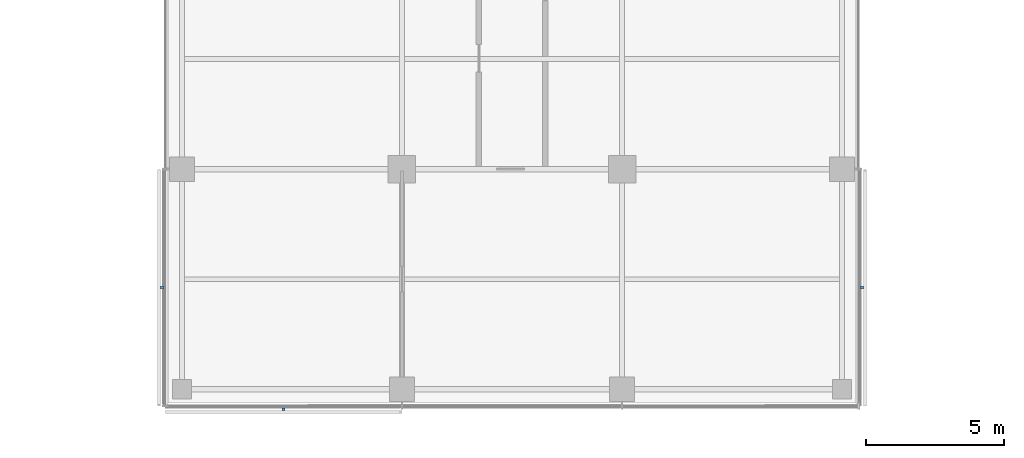
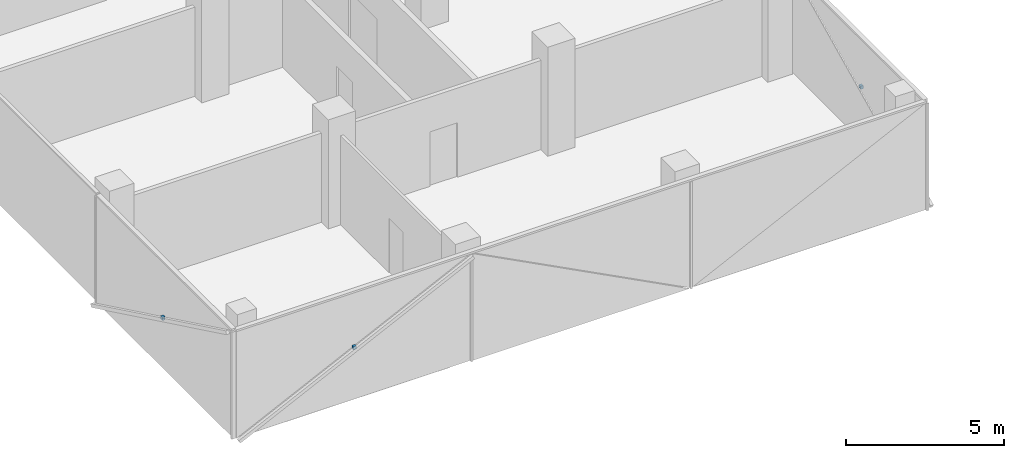
# One storey, part 18 of 22: 3 discrete accessories.
"""IFC4 building model written with IfcOpenShell, lengths in metres."""

from ifc_helpers import new_model, si_unit, direction, frame, origin, origin_2d, place, context, subcontext, project, spatial, rectangle, extrude, material, type_object, element, save


model = new_model("IFC4")

# Units and contexts
model_context = context("Model", 3, precision=1e-05, world=origin(), true_north=direction((0.0, 1.0)))
body_context = subcontext(model_context, "Body", "Model", "MODEL_VIEW")
ifc_project = project(units=[si_unit("LENGTHUNIT", "METRE"), si_unit("AREAUNIT", "SQUARE_METRE"), si_unit("VOLUMEUNIT", "CUBIC_METRE"), si_unit("PLANEANGLEUNIT", "RADIAN"), si_unit("MASSUNIT", "GRAM", prefix="KILO")], contexts=[model_context])

# Site, building, storey
site_placement = place(None, origin())
site = spatial("IfcSite", under=ifc_project, at=site_placement, CompositionType="ELEMENT")
building_placement = place(site_placement, origin())
building = spatial("IfcBuilding", under=site, at=building_placement, Name="Crosswind Convention Tower", CompositionType="ELEMENT")
storey_placement = place(building_placement, frame((0.0, 0.0, 158.89990234375)))
storey = spatial("IfcBuildingStorey", under=building, at=storey_placement, Name="L33", CompositionType="ELEMENT", Elevation=158.89990234375)

# Discrete accessories
ifc_material = material(Name="Stainless steel", Category="steel")
discrete_accessory_type = type_object("IfcDiscreteAccessoryType", Name="BAGUETTE BRACKET BK3", PredefinedType="BRACKET", material=ifc_material)
for number, where, z_axis, x_axis, name in (
    (1, (112.27392578125, 75.695068359375, 1.705078125), (0.0, 0.0, 1.0), (0.0, -1.0, 0.0), "BK3 baguette bracket"),
    (2, (116.695068359375, 71.27392578125, 1.705078125), (0.0, 0.0, 1.0), (1.0, 0.0, 0.0), "BK3 baguette bracket"),
    (3, (137.72607421875, 75.695068359375, 1.705078125), (0.0, 0.0, 1.0), (0.0, 1.0, 0.0), "BK3 baguette bracket"),
):
    element("IfcDiscreteAccessory", number, at=place(storey_placement, frame(where, z_axis=z_axis, x_axis=x_axis)), inside=storey, type_object=discrete_accessory_type, Name=name, PredefinedType="BRACKET", context=body_context, shape_type="SweptSolid", body=[
        extrude(rectangle(XDim=0.1201171875, YDim=0.10009765625, at=origin_2d()), origin(), (0.0, 0.0, 1.0), 0.1201171875),
    ])

save(model, "model.ifc")
